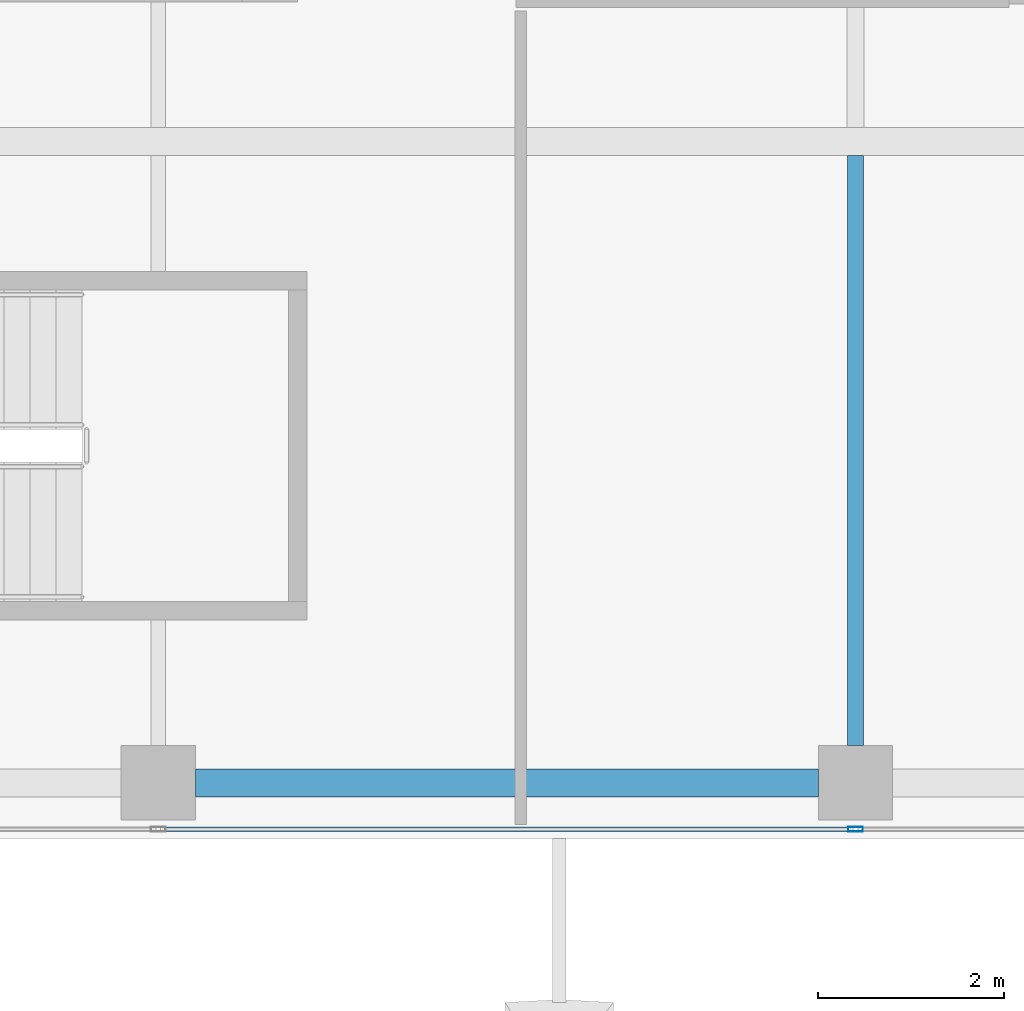
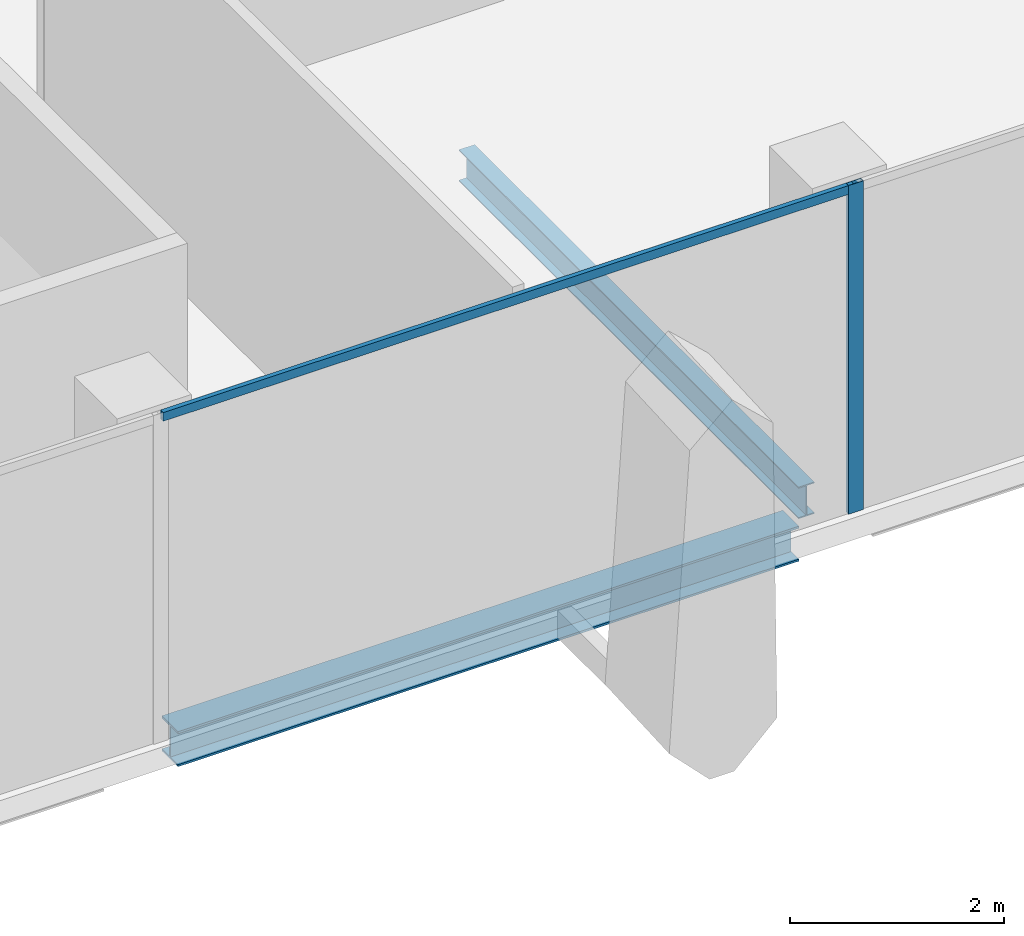
# One storey, part 4 of 28: 2 beams, 2 members, 1 element without a shape of its own.
"""IFC4 building model written with IfcOpenShell, lengths in metres."""

from ifc_helpers import new_model, si_unit, direction, frame, origin, origin_2d, place, context, subcontext, project, spatial, hollow_rectangle, i_section, extrude, source, transform, mapped, material, material_profile, profile_set, type_object, element, aggregate, save


model = new_model("IFC4")

# Units and contexts
model_context = context("Model", 3, precision=1e-05, world=origin(), true_north=direction((0.0, 1.0)))
body_context = subcontext(model_context, "Body", "Model", "MODEL_VIEW")
ifc_project = project(units=[si_unit("LENGTHUNIT", "METRE"), si_unit("AREAUNIT", "SQUARE_METRE"), si_unit("VOLUMEUNIT", "CUBIC_METRE"), si_unit("PLANEANGLEUNIT", "RADIAN"), si_unit("MASSUNIT", "GRAM", prefix="KILO")], contexts=[model_context])

# Site, building, storey
site_placement = place(None, origin())
site = spatial("IfcSite", under=ifc_project, at=site_placement, CompositionType="ELEMENT")
building_placement = place(site_placement, origin())
building = spatial("IfcBuilding", under=site, at=building_placement, Name="Khomas Fold Tower", CompositionType="ELEMENT")
storey_placement = place(building_placement, frame((0.0, 0.0, 298.199951171875)))
storey = spatial("IfcBuildingStorey", under=building, at=storey_placement, Name="L67", CompositionType="ELEMENT", Elevation=298.199951171875)

# Beams
ifc_material_1 = material(Name="Steel S355", Category="steel")
ifc_material_profile_1 = material_profile(ifc_material_1, i_section(OverallWidth=0.300048828125, OverallDepth=0.39990234375, WebThickness=0.013427734375, FlangeThickness=0.02392578125, at=origin_2d()), Name="HE 400 B")
ifc_profile_set_1 = profile_set([ifc_material_profile_1], Name="Steel S355")
beam_type_1 = type_object("IfcBeamType", Name="HE 400 B spandrel SB5", PredefinedType="SPANDREL", material=ifc_profile_set_1)
shared_shape_1 = source(origin(), body_context, "Body", "SweptSolid", [
    extrude(i_section(OverallWidth=0.300048828125, OverallDepth=0.39990234375, WebThickness=0.013427734375, FlangeThickness=0.02392578125, at=origin_2d()), origin(), (0.0, 0.0, 1.0), 6.7001953125),
])
beam_1_placement = place(storey_placement, frame((19.89990234375, 6.60009765625, -0.449951171875), z_axis=(1.0, 0.0, 0.0), x_axis=(0.0, 1.0, 0.0)))
element("IfcBeam", 1, at=beam_1_placement, inside=storey, type_object=beam_type_1, Name="SB5", PredefinedType="SPANDREL", context=body_context, shape_type="MappedRepresentation", body=[
    mapped(shared_shape_1, transform((0.0, 0.0, 0.0))),
])
ifc_material_2 = material(Name="Steel S355", Category="steel")
ifc_material_profile_2 = material_profile(ifc_material_2, i_section(OverallWidth=0.169921875, OverallDepth=0.360107421875, WebThickness=0.008056640625, FlangeThickness=0.0126953125, at=origin_2d()), Name="IPE 360")
ifc_profile_set_2 = profile_set([ifc_material_profile_2], Name="Steel S355")
beam_type_2 = type_object("IfcBeamType", Name="IPE 360 beam JB2", PredefinedType="BEAM", material=ifc_profile_set_2)
shared_shape_2 = source(origin(), body_context, "Body", "SweptSolid", [
    extrude(i_section(OverallWidth=0.169921875, OverallDepth=0.360107421875, WebThickness=0.008056640625, FlangeThickness=0.0126953125, at=origin_2d()), origin(), (0.0, 0.0, 1.0), 6.35009765625),
])
beam_2_placement = place(storey_placement, frame((27.0, 7.0, -0.429931640625), z_axis=(0.0, 1.0, 0.0), x_axis=(-1.0, 0.0, 0.0)))
element("IfcBeam", 2, at=beam_2_placement, inside=storey, type_object=beam_type_2, Name="JB2", PredefinedType="BEAM", context=body_context, shape_type="MappedRepresentation", body=[
    mapped(shared_shape_2, transform((0.0, 0.0, 0.0))),
])

# Curtain wall, members
ifc_material_3 = material(Name="Aluminium framed double glazing", Category="aluminium")
curtain_wall_type = type_object("IfcCurtainWallType", Name="SK-Unitised clear-glass wall, upper floors CW3", PredefinedType="NOTDEFINED", material=ifc_material_3)
curtain_wall_placement = place(storey_placement, origin())
curtain_wall = element("IfcCurtainWall", 3, at=curtain_wall_placement, inside=storey, type_object=curtain_wall_type, Name="CW3 run L67 00-0", PredefinedType="NOTDEFINED")
ifc_material_4 = material(Name="Aluminium", Category="aluminium")
ifc_material_profile_3 = material_profile(ifc_material_4, hollow_rectangle(XDim=0.050048828125, YDim=0.159912109375, WallThickness=0.00390625, at=origin_2d()), Name="SK-Unitised clear-glass wall, upper floors mullion CW3-M")
ifc_profile_set_3 = profile_set([ifc_material_profile_3], Name="Aluminium")
member_type_1 = type_object("IfcMemberType", Name="SK-Unitised clear-glass wall, upper floors mullion CW3-M", PredefinedType="MULLION", material=ifc_profile_set_3)
shared_shape_3 = source(origin(), body_context, "Body", "SweptSolid", [
    extrude(hollow_rectangle(XDim=0.050048828125, YDim=0.159912109375, WallThickness=0.00390625, at=origin_2d()), origin(), (0.0, 0.0, 1.0), 3.75),
])
member_1_placement = place(storey_placement, frame((27.0, 6.10009765625, 0.0), z_axis=(0.0, 0.0, 1.0), x_axis=(0.0, 1.0, 0.0)))
member_1 = element("IfcMember", 4, at=member_1_placement, type_object=member_type_1, Name="CW3 mullion 4", PredefinedType="MULLION", context=body_context, shape_type="MappedRepresentation", body=[
    mapped(shared_shape_3, transform((0.0, 0.0, 0.0))),
])
ifc_material_5 = material(Name="Aluminium", Category="aluminium")
ifc_material_profile_4 = material_profile(ifc_material_5, hollow_rectangle(XDim=0.050048828125, YDim=0.10009765625, WallThickness=0.00390625, at=origin_2d()), Name="SK-Unitised clear-glass wall, upper floors transom CW3-T")
ifc_profile_set_4 = profile_set([ifc_material_profile_4], Name="Aluminium")
member_type_2 = type_object("IfcMemberType", Name="SK-Unitised clear-glass wall, upper floors transom CW3-T", PredefinedType="USERDEFINED", material=ifc_profile_set_4)
shared_shape_4 = source(origin(), body_context, "Body", "SweptSolid", [
    extrude(hollow_rectangle(XDim=0.050048828125, YDim=0.10009765625, WallThickness=0.00390625, at=origin_2d()), origin(), (0.0, 0.0, 1.0), 7.4501953125),
])
member_2_placement = place(storey_placement, frame((19.52490234375, 6.10009765625, 3.699951171875), z_axis=(1.0, 0.0, 0.0), x_axis=(0.0, 1.0, 0.0)))
member_2 = element("IfcMember", 5, at=member_2_placement, type_object=member_type_2, Name="CW3 transom 3", ObjectType="TRANSOM", PredefinedType="USERDEFINED", context=body_context, shape_type="MappedRepresentation", body=[
    mapped(shared_shape_4, transform((0.0, 0.0, 0.0))),
])
aggregate(curtain_wall, [member_1, member_2])

save(model, "model.ifc")
